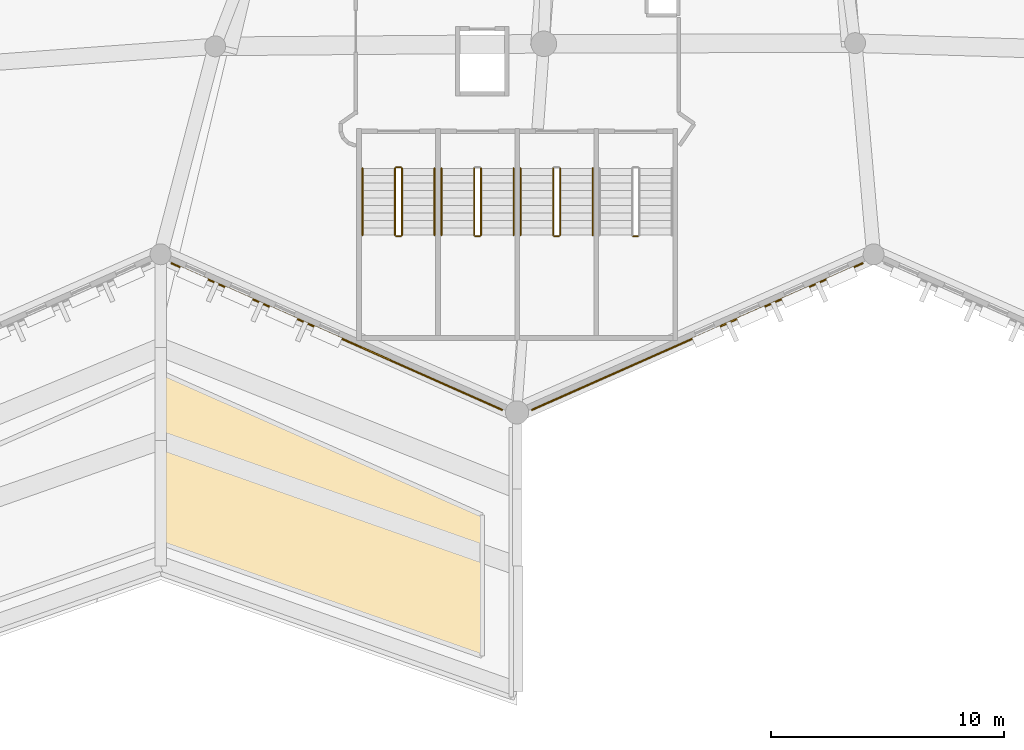
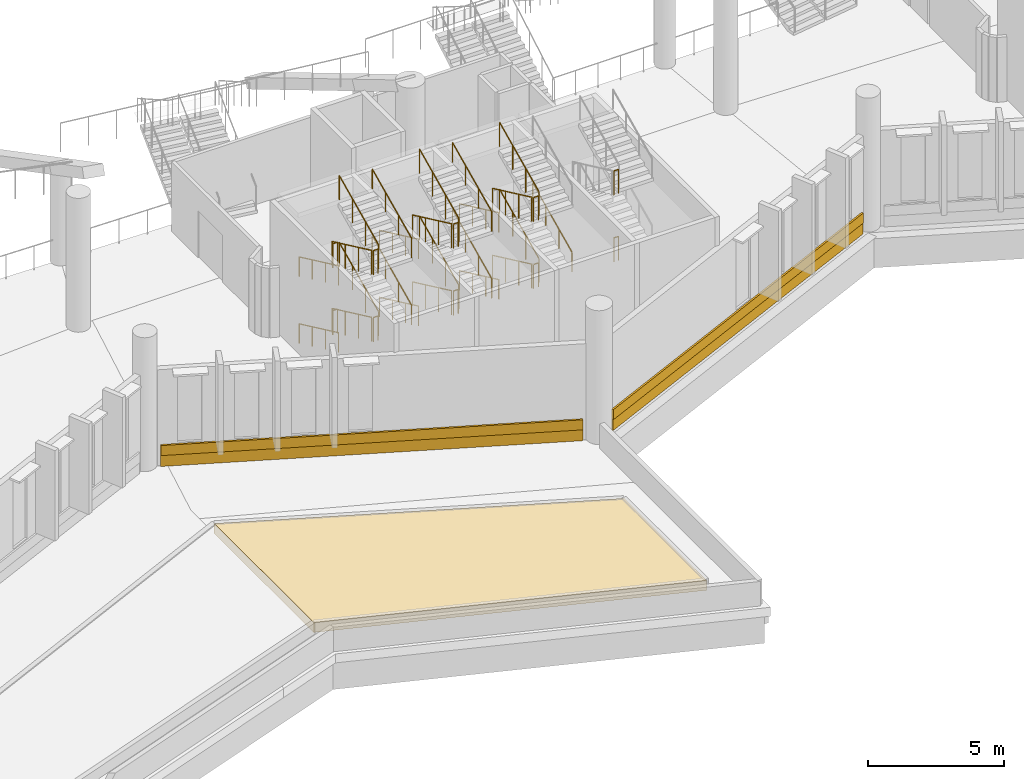
# One storey, part 118 of 173: 33 railings, 5 coverings.
"""IFC4 building model written with IfcOpenShell, lengths in metres."""

from ifc_helpers import new_model, si_unit, direction, frame, origin, origin_2d, place, context, subcontext, project, spatial, polyline, rectangle, circle, outline, extrude, material, layer, layer_set, type_object, element, save


model = new_model("IFC4")

# Units and contexts
model_context = context("Model", 3, precision=1e-05, world=origin(), true_north=direction((0.0, 1.0)))
body_context = subcontext(model_context, "Body", "Model", "MODEL_VIEW")
ifc_project = project(units=[si_unit("LENGTHUNIT", "METRE"), si_unit("AREAUNIT", "SQUARE_METRE"), si_unit("VOLUMEUNIT", "CUBIC_METRE"), si_unit("PLANEANGLEUNIT", "RADIAN"), si_unit("MASSUNIT", "GRAM", prefix="KILO")], contexts=[model_context])

# Site, building, storey
site_placement = place(None, origin())
site = spatial("IfcSite", under=ifc_project, at=site_placement, CompositionType="ELEMENT")
building_placement = place(site_placement, origin())
building = spatial("IfcBuilding", under=site, at=building_placement, Name="Meseta Stadium", CompositionType="ELEMENT")
storey_placement = place(building_placement, frame((0.0, 0.0, 18.0)))
storey = spatial("IfcBuildingStorey", under=building, at=storey_placement, Name="L03", CompositionType="ELEMENT", Elevation=18.0)

# Coverings
ifc_material_1 = material(Name="Guadarrama granite cladding", Category="masonry")
ifc_layer_1 = layer(ifc_material_1, 0.06005859375)
ifc_layer_set_1 = layer_set([ifc_layer_1], Name="Granite plinth cladding 60")
covering_type_1 = type_object("IfcCoveringType", Name="Granite plinth cladding 60", PredefinedType="CLADDING", material=ifc_layer_set_1)
for number, where, z_axis, x_axis, name in (
    (1, (-15.4189453125, -102.131591796875, 0.0), (0.0, 0.0, 1.0), (-0.914139367606, 0.405400069798, 0.0), "Granite plinth L03 F45"),
    (2, (0.085693359375, -102.131591796875, 0.0), (0.0, 0.0, 1.0), (-0.914139367606, -0.405400069798, 0.0), "Granite plinth L03 F46"),
):
    element("IfcCovering", number, at=place(storey_placement, frame(where, z_axis=z_axis, x_axis=x_axis)), inside=storey, type_object=covering_type_1, Name=name, PredefinedType="CLADDING", context=body_context, shape_type="SweptSolid", body=[
        extrude(rectangle(XDim=15.58447265625, YDim=0.06005859375, at=origin_2d()), origin(), (0.0, 0.0, 1.0), 0.5),
    ])
ifc_material_2 = material(Name="Planting soil")
ifc_layer_2 = layer(ifc_material_2, 0.449951171875)
ifc_layer_set_2 = layer_set([ifc_layer_2], Name="Planting soil 450")
covering_type_2 = type_object("IfcCoveringType", Name="Planting soil 450", PredefinedType="FLOORING", material=ifc_layer_set_2)
covering_placement = place(storey_placement, origin())
element("IfcCovering", 3, at=covering_placement, inside=storey, type_object=covering_type_2, Name="Roof garden planting bed 6.1 panel 04", PredefinedType="FLOORING", context=body_context, shape_type="SweptSolid", body=[
    extrude(outline(polyline([(-9.166748046875, -109.821533203125), (-23.0, -103.686767578125), (-23.0, -111.009765625), (-9.166748046875, -115.88134765625), (-9.166748046875, -109.821533203125)])), origin(), (0.0, 0.0, 1.0), 0.449951171875),
])

# Railings
ifc_material_3 = material(Name="Steel S355", Category="steel")
railing_type_1 = type_object("IfcRailingType", Name="Stair guard 1100", PredefinedType="GUARDRAIL", material=ifc_material_3)
railing_1_placement = place(storey_placement, frame((-12.916748046875, -94.89990234375, 0.14990234375)))
element("IfcRailing", 4, at=railing_1_placement, inside=storey, type_object=railing_type_1, Name="ST93 L03 guard 1", PredefinedType="GUARDRAIL", context=body_context, shape_type="SweptSolid", body=[
    extrude(circle(Radius=0.02392578125, at=origin_2d()), frame((0.0, 0.0, 1.076171875), z_axis=(0.0, -0.905454327043, 0.424443708447), x_axis=(1.0, 0.0, 0.0)), (0.0, 0.0, 1.0), 3.180908203125),
    extrude(circle(Radius=0.02099609375, at=origin_2d()), origin(), (0.0, 0.0, 1.0), 1.052001953125),
    extrude(circle(Radius=0.02099609375, at=origin_2d()), frame((0.0, -0.9599609375, 0.449951171875)), (0.0, 0.0, 1.0), 1.052001953125),
    extrude(circle(Radius=0.02099609375, at=origin_2d()), frame((0.0, -1.920166015625, 0.900146484375)), (0.0, 0.0, 1.0), 1.052001953125),
    extrude(circle(Radius=0.02099609375, at=origin_2d()), frame((0.0, -2.880126953125, 1.35009765625)), (0.0, 0.0, 1.0), 1.052001953125),
])
railing_2_placement = place(storey_placement, frame((-12.86669921875, -97.830078125, 1.5)))
element("IfcRailing", 5, at=railing_2_placement, inside=storey, type_object=railing_type_1, Name="ST93 L03 guard 2", PredefinedType="GUARDRAIL", context=body_context, shape_type="SweptSolid", body=[
    extrude(circle(Radius=0.02392578125, at=origin_2d()), frame((0.0, 0.0, 1.076171875), z_axis=(1.0, 0.0, 0.0), x_axis=(0.0, 1.0, 0.0)), (0.0, 0.0, 1.0), 0.199951171875),
    extrude(circle(Radius=0.02099609375, at=origin_2d()), origin(), (0.0, 0.0, 1.0), 1.052001953125),
    extrude(circle(Radius=0.02099609375, at=origin_2d()), frame((0.199951171875, 0.0, 0.0)), (0.0, 0.0, 1.0), 1.052001953125),
])
railing_3_placement = place(storey_placement, frame((-12.61669921875, -97.780029296875, 1.64990234375)))
element("IfcRailing", 6, at=railing_3_placement, inside=storey, type_object=railing_type_1, Name="ST93 L03 guard 3", PredefinedType="GUARDRAIL", context=body_context, shape_type="SweptSolid", body=[
    extrude(circle(Radius=0.02392578125, at=origin_2d()), frame((0.0, 0.0, 1.076171875), z_axis=(0.0, 0.905454327043, 0.424443708447), x_axis=(-1.0, 0.0, 0.0)), (0.0, 0.0, 1.0), 3.180908203125),
    extrude(circle(Radius=0.02099609375, at=origin_2d()), origin(), (0.0, 0.0, 1.0), 1.052001953125),
    extrude(circle(Radius=0.02099609375, at=origin_2d()), frame((0.0, 0.9599609375, 0.449951171875)), (0.0, 0.0, 1.0), 1.052001953125),
    extrude(circle(Radius=0.02099609375, at=origin_2d()), frame((0.0, 1.920166015625, 0.900146484375)), (0.0, 0.0, 1.0), 1.052001953125),
    extrude(circle(Radius=0.02099609375, at=origin_2d()), frame((0.0, 2.880126953125, 1.35009765625)), (0.0, 0.0, 1.0), 1.052001953125),
])
railing_4_placement = place(storey_placement, frame((-12.86669921875, -94.85009765625, 3.0)))
element("IfcRailing", 7, at=railing_4_placement, inside=storey, type_object=railing_type_1, Name="ST93 L03 guard 4", PredefinedType="GUARDRAIL", context=body_context, shape_type="SweptSolid", body=[
    extrude(circle(Radius=0.02392578125, at=origin_2d()), frame((0.0, 0.0, 1.076171875), z_axis=(1.0, 0.0, 0.0), x_axis=(0.0, 1.0, 0.0)), (0.0, 0.0, 1.0), 0.199951171875),
    extrude(circle(Radius=0.02099609375, at=origin_2d()), origin(), (0.0, 0.0, 1.0), 1.052001953125),
    extrude(circle(Radius=0.02099609375, at=origin_2d()), frame((0.199951171875, 0.0, 0.0)), (0.0, 0.0, 1.0), 1.052001953125),
])
railing_5_placement = place(storey_placement, frame((-12.916748046875, -94.89990234375, 3.14990234375)))
element("IfcRailing", 8, at=railing_5_placement, inside=storey, type_object=railing_type_1, Name="ST93 L03 guard 5", PredefinedType="GUARDRAIL", context=body_context, shape_type="SweptSolid", body=[
    extrude(circle(Radius=0.02392578125, at=origin_2d()), frame((0.0, 0.0, 1.076171875), z_axis=(0.0, -0.905454327043, 0.424443708447), x_axis=(1.0, 0.0, 0.0)), (0.0, 0.0, 1.0), 3.180908203125),
    extrude(circle(Radius=0.02099609375, at=origin_2d()), origin(), (0.0, 0.0, 1.0), 1.052001953125),
    extrude(circle(Radius=0.02099609375, at=origin_2d()), frame((0.0, -0.9599609375, 0.449951171875)), (0.0, 0.0, 1.0), 1.052001953125),
    extrude(circle(Radius=0.02099609375, at=origin_2d()), frame((0.0, -1.920166015625, 0.900146484375)), (0.0, 0.0, 1.0), 1.052001953125),
    extrude(circle(Radius=0.02099609375, at=origin_2d()), frame((0.0, -2.880126953125, 1.35009765625)), (0.0, 0.0, 1.0), 1.052001953125),
])
railing_6_placement = place(storey_placement, frame((-12.86669921875, -97.830078125, 4.5)))
element("IfcRailing", 9, at=railing_6_placement, inside=storey, type_object=railing_type_1, Name="ST93 L03 guard 6", PredefinedType="GUARDRAIL", context=body_context, shape_type="SweptSolid", body=[
    extrude(circle(Radius=0.02392578125, at=origin_2d()), frame((0.0, 0.0, 1.076171875), z_axis=(1.0, 0.0, 0.0), x_axis=(0.0, 1.0, 0.0)), (0.0, 0.0, 1.0), 0.199951171875),
    extrude(circle(Radius=0.02099609375, at=origin_2d()), origin(), (0.0, 0.0, 1.0), 1.052001953125),
    extrude(circle(Radius=0.02099609375, at=origin_2d()), frame((0.199951171875, 0.0, 0.0)), (0.0, 0.0, 1.0), 1.052001953125),
])
railing_7_placement = place(storey_placement, frame((-12.61669921875, -97.780029296875, 4.64990234375)))
element("IfcRailing", 10, at=railing_7_placement, inside=storey, type_object=railing_type_1, Name="ST93 L03 guard 7", PredefinedType="GUARDRAIL", context=body_context, shape_type="SweptSolid", body=[
    extrude(circle(Radius=0.02392578125, at=origin_2d()), frame((0.0, 0.0, 1.076171875), z_axis=(0.0, 0.905454327043, 0.424443708447), x_axis=(-1.0, 0.0, 0.0)), (0.0, 0.0, 1.0), 3.180908203125),
    extrude(circle(Radius=0.02099609375, at=origin_2d()), origin(), (0.0, 0.0, 1.0), 1.052001953125),
    extrude(circle(Radius=0.02099609375, at=origin_2d()), frame((0.0, 0.9599609375, 0.449951171875)), (0.0, 0.0, 1.0), 1.052001953125),
    extrude(circle(Radius=0.02099609375, at=origin_2d()), frame((0.0, 1.920166015625, 0.900146484375)), (0.0, 0.0, 1.0), 1.052001953125),
    extrude(circle(Radius=0.02099609375, at=origin_2d()), frame((0.0, 2.880126953125, 1.35009765625)), (0.0, 0.0, 1.0), 1.052001953125),
])
railing_8_placement = place(storey_placement, frame((-12.86669921875, -94.85009765625, 0.0)))
element("IfcRailing", 11, at=railing_8_placement, inside=storey, type_object=railing_type_1, Name="ST93 L03 guard 8", PredefinedType="GUARDRAIL", context=body_context, shape_type="SweptSolid", body=[
    extrude(circle(Radius=0.02392578125, at=origin_2d()), frame((0.0, 0.0, 1.076171875), z_axis=(1.0, 0.0, 0.0), x_axis=(0.0, 1.0, 0.0)), (0.0, 0.0, 1.0), 0.199951171875),
    extrude(circle(Radius=0.02099609375, at=origin_2d()), origin(), (0.0, 0.0, 1.0), 1.052001953125),
    extrude(circle(Radius=0.02099609375, at=origin_2d()), frame((0.199951171875, 0.0, 0.0)), (0.0, 0.0, 1.0), 1.052001953125),
])
railing_9_placement = place(storey_placement, frame((-9.5166015625, -94.89990234375, 0.14990234375)))
element("IfcRailing", 12, at=railing_9_placement, inside=storey, type_object=railing_type_1, Name="ST94 L03 guard 1", PredefinedType="GUARDRAIL", context=body_context, shape_type="SweptSolid", body=[
    extrude(circle(Radius=0.02392578125, at=origin_2d()), frame((0.0, 0.0, 1.076171875), z_axis=(0.0, -0.905454327043, 0.424443708447), x_axis=(1.0, 0.0, 0.0)), (0.0, 0.0, 1.0), 3.180908203125),
    extrude(circle(Radius=0.02099609375, at=origin_2d()), origin(), (0.0, 0.0, 1.0), 1.052001953125),
    extrude(circle(Radius=0.02099609375, at=origin_2d()), frame((0.0, -0.9599609375, 0.449951171875)), (0.0, 0.0, 1.0), 1.052001953125),
    extrude(circle(Radius=0.02099609375, at=origin_2d()), frame((0.0, -1.920166015625, 0.900146484375)), (0.0, 0.0, 1.0), 1.052001953125),
    extrude(circle(Radius=0.02099609375, at=origin_2d()), frame((0.0, -2.880126953125, 1.35009765625)), (0.0, 0.0, 1.0), 1.052001953125),
])
railing_10_placement = place(storey_placement, frame((-9.466552734375, -97.830078125, 1.5)))
element("IfcRailing", 13, at=railing_10_placement, inside=storey, type_object=railing_type_1, Name="ST94 L03 guard 2", PredefinedType="GUARDRAIL", context=body_context, shape_type="SweptSolid", body=[
    extrude(circle(Radius=0.02392578125, at=origin_2d()), frame((0.0, 0.0, 1.076171875), z_axis=(1.0, 0.0, 0.0), x_axis=(0.0, 1.0, 0.0)), (0.0, 0.0, 1.0), 0.199951171875),
    extrude(circle(Radius=0.02099609375, at=origin_2d()), origin(), (0.0, 0.0, 1.0), 1.052001953125),
    extrude(circle(Radius=0.02099609375, at=origin_2d()), frame((0.199951171875, 0.0, 0.0)), (0.0, 0.0, 1.0), 1.052001953125),
])
railing_11_placement = place(storey_placement, frame((-9.216552734375, -97.780029296875, 1.64990234375)))
element("IfcRailing", 14, at=railing_11_placement, inside=storey, type_object=railing_type_1, Name="ST94 L03 guard 3", PredefinedType="GUARDRAIL", context=body_context, shape_type="SweptSolid", body=[
    extrude(circle(Radius=0.02392578125, at=origin_2d()), frame((0.0, 0.0, 1.076171875), z_axis=(0.0, 0.905454327043, 0.424443708447), x_axis=(-1.0, 0.0, 0.0)), (0.0, 0.0, 1.0), 3.180908203125),
    extrude(circle(Radius=0.02099609375, at=origin_2d()), origin(), (0.0, 0.0, 1.0), 1.052001953125),
    extrude(circle(Radius=0.02099609375, at=origin_2d()), frame((0.0, 0.9599609375, 0.449951171875)), (0.0, 0.0, 1.0), 1.052001953125),
    extrude(circle(Radius=0.02099609375, at=origin_2d()), frame((0.0, 1.920166015625, 0.900146484375)), (0.0, 0.0, 1.0), 1.052001953125),
    extrude(circle(Radius=0.02099609375, at=origin_2d()), frame((0.0, 2.880126953125, 1.35009765625)), (0.0, 0.0, 1.0), 1.052001953125),
])
railing_12_placement = place(storey_placement, frame((-9.5166015625, -94.89990234375, 3.14990234375)))
element("IfcRailing", 15, at=railing_12_placement, inside=storey, type_object=railing_type_1, Name="ST94 L03 guard 5", PredefinedType="GUARDRAIL", context=body_context, shape_type="SweptSolid", body=[
    extrude(circle(Radius=0.02392578125, at=origin_2d()), frame((0.0, 0.0, 1.076171875), z_axis=(0.0, -0.905454327043, 0.424443708447), x_axis=(1.0, 0.0, 0.0)), (0.0, 0.0, 1.0), 3.180908203125),
    extrude(circle(Radius=0.02099609375, at=origin_2d()), origin(), (0.0, 0.0, 1.0), 1.052001953125),
    extrude(circle(Radius=0.02099609375, at=origin_2d()), frame((0.0, -0.9599609375, 0.449951171875)), (0.0, 0.0, 1.0), 1.052001953125),
    extrude(circle(Radius=0.02099609375, at=origin_2d()), frame((0.0, -1.920166015625, 0.900146484375)), (0.0, 0.0, 1.0), 1.052001953125),
    extrude(circle(Radius=0.02099609375, at=origin_2d()), frame((0.0, -2.880126953125, 1.35009765625)), (0.0, 0.0, 1.0), 1.052001953125),
])
railing_13_placement = place(storey_placement, frame((-9.466552734375, -97.830078125, 4.5)))
element("IfcRailing", 16, at=railing_13_placement, inside=storey, type_object=railing_type_1, Name="ST94 L03 guard 6", PredefinedType="GUARDRAIL", context=body_context, shape_type="SweptSolid", body=[
    extrude(circle(Radius=0.02392578125, at=origin_2d()), frame((0.0, 0.0, 1.076171875), z_axis=(1.0, 0.0, 0.0), x_axis=(0.0, 1.0, 0.0)), (0.0, 0.0, 1.0), 0.199951171875),
    extrude(circle(Radius=0.02099609375, at=origin_2d()), origin(), (0.0, 0.0, 1.0), 1.052001953125),
    extrude(circle(Radius=0.02099609375, at=origin_2d()), frame((0.199951171875, 0.0, 0.0)), (0.0, 0.0, 1.0), 1.052001953125),
])
railing_14_placement = place(storey_placement, frame((-9.216552734375, -97.780029296875, 4.64990234375)))
element("IfcRailing", 17, at=railing_14_placement, inside=storey, type_object=railing_type_1, Name="ST94 L03 guard 7", PredefinedType="GUARDRAIL", context=body_context, shape_type="SweptSolid", body=[
    extrude(circle(Radius=0.02392578125, at=origin_2d()), frame((0.0, 0.0, 1.076171875), z_axis=(0.0, 0.905454327043, 0.424443708447), x_axis=(-1.0, 0.0, 0.0)), (0.0, 0.0, 1.0), 3.180908203125),
    extrude(circle(Radius=0.02099609375, at=origin_2d()), origin(), (0.0, 0.0, 1.0), 1.052001953125),
    extrude(circle(Radius=0.02099609375, at=origin_2d()), frame((0.0, 0.9599609375, 0.449951171875)), (0.0, 0.0, 1.0), 1.052001953125),
    extrude(circle(Radius=0.02099609375, at=origin_2d()), frame((0.0, 1.920166015625, 0.900146484375)), (0.0, 0.0, 1.0), 1.052001953125),
    extrude(circle(Radius=0.02099609375, at=origin_2d()), frame((0.0, 2.880126953125, 1.35009765625)), (0.0, 0.0, 1.0), 1.052001953125),
])
railing_15_placement = place(storey_placement, frame((-6.11669921875, -94.89990234375, 0.14990234375)))
element("IfcRailing", 18, at=railing_15_placement, inside=storey, type_object=railing_type_1, Name="ST95 L03 guard 1", PredefinedType="GUARDRAIL", context=body_context, shape_type="SweptSolid", body=[
    extrude(circle(Radius=0.02392578125, at=origin_2d()), frame((0.0, 0.0, 1.076171875), z_axis=(0.0, -0.905454327043, 0.424443708447), x_axis=(1.0, 0.0, 0.0)), (0.0, 0.0, 1.0), 3.180908203125),
    extrude(circle(Radius=0.02099609375, at=origin_2d()), origin(), (0.0, 0.0, 1.0), 1.052001953125),
    extrude(circle(Radius=0.02099609375, at=origin_2d()), frame((0.0, -0.9599609375, 0.449951171875)), (0.0, 0.0, 1.0), 1.052001953125),
    extrude(circle(Radius=0.02099609375, at=origin_2d()), frame((0.0, -1.920166015625, 0.900146484375)), (0.0, 0.0, 1.0), 1.052001953125),
    extrude(circle(Radius=0.02099609375, at=origin_2d()), frame((0.0, -2.880126953125, 1.35009765625)), (0.0, 0.0, 1.0), 1.052001953125),
])
railing_16_placement = place(storey_placement, frame((-6.066650390625, -97.830078125, 1.5)))
element("IfcRailing", 19, at=railing_16_placement, inside=storey, type_object=railing_type_1, Name="ST95 L03 guard 2", PredefinedType="GUARDRAIL", context=body_context, shape_type="SweptSolid", body=[
    extrude(circle(Radius=0.02392578125, at=origin_2d()), frame((0.0, 0.0, 1.076171875), z_axis=(1.0, 0.0, 0.0), x_axis=(0.0, 1.0, 0.0)), (0.0, 0.0, 1.0), 0.199951171875),
    extrude(circle(Radius=0.02099609375, at=origin_2d()), origin(), (0.0, 0.0, 1.0), 1.052001953125),
    extrude(circle(Radius=0.02099609375, at=origin_2d()), frame((0.199951171875, 0.0, 0.0)), (0.0, 0.0, 1.0), 1.052001953125),
])
railing_17_placement = place(storey_placement, frame((-5.816650390625, -97.780029296875, 1.64990234375)))
element("IfcRailing", 20, at=railing_17_placement, inside=storey, type_object=railing_type_1, Name="ST95 L03 guard 3", PredefinedType="GUARDRAIL", context=body_context, shape_type="SweptSolid", body=[
    extrude(circle(Radius=0.02392578125, at=origin_2d()), frame((0.0, 0.0, 1.076171875), z_axis=(0.0, 0.905454327043, 0.424443708447), x_axis=(-1.0, 0.0, 0.0)), (0.0, 0.0, 1.0), 3.180908203125),
    extrude(circle(Radius=0.02099609375, at=origin_2d()), origin(), (0.0, 0.0, 1.0), 1.052001953125),
    extrude(circle(Radius=0.02099609375, at=origin_2d()), frame((0.0, 0.9599609375, 0.449951171875)), (0.0, 0.0, 1.0), 1.052001953125),
    extrude(circle(Radius=0.02099609375, at=origin_2d()), frame((0.0, 1.920166015625, 0.900146484375)), (0.0, 0.0, 1.0), 1.052001953125),
    extrude(circle(Radius=0.02099609375, at=origin_2d()), frame((0.0, 2.880126953125, 1.35009765625)), (0.0, 0.0, 1.0), 1.052001953125),
])
railing_18_placement = place(storey_placement, frame((-6.11669921875, -94.89990234375, 3.14990234375)))
element("IfcRailing", 21, at=railing_18_placement, inside=storey, type_object=railing_type_1, Name="ST95 L03 guard 5", PredefinedType="GUARDRAIL", context=body_context, shape_type="SweptSolid", body=[
    extrude(circle(Radius=0.02392578125, at=origin_2d()), frame((0.0, 0.0, 1.076171875), z_axis=(0.0, -0.905454327043, 0.424443708447), x_axis=(1.0, 0.0, 0.0)), (0.0, 0.0, 1.0), 3.180908203125),
    extrude(circle(Radius=0.02099609375, at=origin_2d()), origin(), (0.0, 0.0, 1.0), 1.052001953125),
    extrude(circle(Radius=0.02099609375, at=origin_2d()), frame((0.0, -0.9599609375, 0.449951171875)), (0.0, 0.0, 1.0), 1.052001953125),
    extrude(circle(Radius=0.02099609375, at=origin_2d()), frame((0.0, -1.920166015625, 0.900146484375)), (0.0, 0.0, 1.0), 1.052001953125),
    extrude(circle(Radius=0.02099609375, at=origin_2d()), frame((0.0, -2.880126953125, 1.35009765625)), (0.0, 0.0, 1.0), 1.052001953125),
])
railing_19_placement = place(storey_placement, frame((-6.066650390625, -97.830078125, 4.5)))
element("IfcRailing", 22, at=railing_19_placement, inside=storey, type_object=railing_type_1, Name="ST95 L03 guard 6", PredefinedType="GUARDRAIL", context=body_context, shape_type="SweptSolid", body=[
    extrude(circle(Radius=0.02392578125, at=origin_2d()), frame((0.0, 0.0, 1.076171875), z_axis=(1.0, 0.0, 0.0), x_axis=(0.0, 1.0, 0.0)), (0.0, 0.0, 1.0), 0.199951171875),
    extrude(circle(Radius=0.02099609375, at=origin_2d()), origin(), (0.0, 0.0, 1.0), 1.052001953125),
    extrude(circle(Radius=0.02099609375, at=origin_2d()), frame((0.199951171875, 0.0, 0.0)), (0.0, 0.0, 1.0), 1.052001953125),
])
railing_20_placement = place(storey_placement, frame((-5.816650390625, -97.780029296875, 4.64990234375)))
element("IfcRailing", 23, at=railing_20_placement, inside=storey, type_object=railing_type_1, Name="ST95 L03 guard 7", PredefinedType="GUARDRAIL", context=body_context, shape_type="SweptSolid", body=[
    extrude(circle(Radius=0.02392578125, at=origin_2d()), frame((0.0, 0.0, 1.076171875), z_axis=(0.0, 0.905454327043, 0.424443708447), x_axis=(-1.0, 0.0, 0.0)), (0.0, 0.0, 1.0), 3.180908203125),
    extrude(circle(Radius=0.02099609375, at=origin_2d()), origin(), (0.0, 0.0, 1.0), 1.052001953125),
    extrude(circle(Radius=0.02099609375, at=origin_2d()), frame((0.0, 0.9599609375, 0.449951171875)), (0.0, 0.0, 1.0), 1.052001953125),
    extrude(circle(Radius=0.02099609375, at=origin_2d()), frame((0.0, 1.920166015625, 0.900146484375)), (0.0, 0.0, 1.0), 1.052001953125),
    extrude(circle(Radius=0.02099609375, at=origin_2d()), frame((0.0, 2.880126953125, 1.35009765625)), (0.0, 0.0, 1.0), 1.052001953125),
])
for number, where, name in (
    (24, (-2.666748046875, -97.830078125, 1.5), "ST96 L03 guard 2"),
    (25, (-2.666748046875, -97.830078125, 4.5), "ST96 L03 guard 6"),
):
    element("IfcRailing", number, at=place(storey_placement, frame(where)), inside=storey, type_object=railing_type_1, Name=name, PredefinedType="GUARDRAIL", context=body_context, shape_type="SweptSolid", body=[
        extrude(circle(Radius=0.02392578125, at=origin_2d()), frame((0.0, 0.0, 1.076171875), z_axis=(1.0, 0.0, 0.0), x_axis=(0.0, 1.0, 0.0)), (0.0, 0.0, 1.0), 0.2001953125),
        extrude(circle(Radius=0.02099609375, at=origin_2d()), origin(), (0.0, 0.0, 1.0), 1.052001953125),
        extrude(circle(Radius=0.02099609375, at=origin_2d()), frame((0.2001953125, 0.0, 0.0)), (0.0, 0.0, 1.0), 1.052001953125),
    ])
ifc_material_4 = material(Name="Steel S355", Category="steel")
railing_type_2 = type_object("IfcRailingType", Name="Stair handrail 900", PredefinedType="HANDRAIL", material=ifc_material_4)
railing_21_placement = place(storey_placement, frame((-14.316650390625, -94.89990234375, 0.14990234375)))
element("IfcRailing", 26, at=railing_21_placement, inside=storey, type_object=railing_type_2, Name="ST93 L03 handrail 1", PredefinedType="HANDRAIL", context=body_context, shape_type="SweptSolid", body=[
    extrude(circle(Radius=0.02392578125, at=origin_2d()), frame((0.0, 0.0, 0.8759765625), z_axis=(0.0, -0.905454327043, 0.424443708447), x_axis=(1.0, 0.0, 0.0)), (0.0, 0.0, 1.0), 3.180908203125),
    extrude(circle(Radius=0.02099609375, at=origin_2d()), origin(), (0.0, 0.0, 1.0), 0.851806640625),
    extrude(circle(Radius=0.02099609375, at=origin_2d()), frame((0.0, -0.9599609375, 0.449951171875)), (0.0, 0.0, 1.0), 0.851806640625),
    extrude(circle(Radius=0.02099609375, at=origin_2d()), frame((0.0, -1.920166015625, 0.900146484375)), (0.0, 0.0, 1.0), 0.851806640625),
    extrude(circle(Radius=0.02099609375, at=origin_2d()), frame((0.0, -2.880126953125, 1.35009765625)), (0.0, 0.0, 1.0), 0.851806640625),
])
railing_22_placement = place(storey_placement, frame((-11.216552734375, -97.780029296875, 1.64990234375)))
element("IfcRailing", 27, at=railing_22_placement, inside=storey, type_object=railing_type_2, Name="ST93 L03 handrail 2", PredefinedType="HANDRAIL", context=body_context, shape_type="SweptSolid", body=[
    extrude(circle(Radius=0.02392578125, at=origin_2d()), frame((0.0, 0.0, 0.8759765625), z_axis=(0.0, 0.905454327043, 0.424443708447), x_axis=(-1.0, 0.0, 0.0)), (0.0, 0.0, 1.0), 3.180908203125),
    extrude(circle(Radius=0.02099609375, at=origin_2d()), origin(), (0.0, 0.0, 1.0), 0.851806640625),
    extrude(circle(Radius=0.02099609375, at=origin_2d()), frame((0.0, 0.9599609375, 0.449951171875)), (0.0, 0.0, 1.0), 0.851806640625),
    extrude(circle(Radius=0.02099609375, at=origin_2d()), frame((0.0, 1.920166015625, 0.900146484375)), (0.0, 0.0, 1.0), 0.851806640625),
    extrude(circle(Radius=0.02099609375, at=origin_2d()), frame((0.0, 2.880126953125, 1.35009765625)), (0.0, 0.0, 1.0), 0.851806640625),
])
railing_23_placement = place(storey_placement, frame((-14.316650390625, -94.89990234375, 3.14990234375)))
element("IfcRailing", 28, at=railing_23_placement, inside=storey, type_object=railing_type_2, Name="ST93 L03 handrail 3", PredefinedType="HANDRAIL", context=body_context, shape_type="SweptSolid", body=[
    extrude(circle(Radius=0.02392578125, at=origin_2d()), frame((0.0, 0.0, 0.8759765625), z_axis=(0.0, -0.905454327043, 0.424443708447), x_axis=(1.0, 0.0, 0.0)), (0.0, 0.0, 1.0), 3.180908203125),
    extrude(circle(Radius=0.02099609375, at=origin_2d()), origin(), (0.0, 0.0, 1.0), 0.851806640625),
    extrude(circle(Radius=0.02099609375, at=origin_2d()), frame((0.0, -0.9599609375, 0.449951171875)), (0.0, 0.0, 1.0), 0.851806640625),
    extrude(circle(Radius=0.02099609375, at=origin_2d()), frame((0.0, -1.920166015625, 0.900146484375)), (0.0, 0.0, 1.0), 0.851806640625),
    extrude(circle(Radius=0.02099609375, at=origin_2d()), frame((0.0, -2.880126953125, 1.35009765625)), (0.0, 0.0, 1.0), 0.851806640625),
])
railing_24_placement = place(storey_placement, frame((-11.216552734375, -97.780029296875, 4.64990234375)))
element("IfcRailing", 29, at=railing_24_placement, inside=storey, type_object=railing_type_2, Name="ST93 L03 handrail 4", PredefinedType="HANDRAIL", context=body_context, shape_type="SweptSolid", body=[
    extrude(circle(Radius=0.02392578125, at=origin_2d()), frame((0.0, 0.0, 0.8759765625), z_axis=(0.0, 0.905454327043, 0.424443708447), x_axis=(-1.0, 0.0, 0.0)), (0.0, 0.0, 1.0), 3.180908203125),
    extrude(circle(Radius=0.02099609375, at=origin_2d()), origin(), (0.0, 0.0, 1.0), 0.851806640625),
    extrude(circle(Radius=0.02099609375, at=origin_2d()), frame((0.0, 0.9599609375, 0.449951171875)), (0.0, 0.0, 1.0), 0.851806640625),
    extrude(circle(Radius=0.02099609375, at=origin_2d()), frame((0.0, 1.920166015625, 0.900146484375)), (0.0, 0.0, 1.0), 0.851806640625),
    extrude(circle(Radius=0.02099609375, at=origin_2d()), frame((0.0, 2.880126953125, 1.35009765625)), (0.0, 0.0, 1.0), 0.851806640625),
])
railing_25_placement = place(storey_placement, frame((-10.916748046875, -94.89990234375, 0.14990234375)))
element("IfcRailing", 30, at=railing_25_placement, inside=storey, type_object=railing_type_2, Name="ST94 L03 handrail 1", PredefinedType="HANDRAIL", context=body_context, shape_type="SweptSolid", body=[
    extrude(circle(Radius=0.02392578125, at=origin_2d()), frame((0.0, 0.0, 0.8759765625), z_axis=(0.0, -0.905454327043, 0.424443708447), x_axis=(1.0, 0.0, 0.0)), (0.0, 0.0, 1.0), 3.180908203125),
    extrude(circle(Radius=0.02099609375, at=origin_2d()), origin(), (0.0, 0.0, 1.0), 0.851806640625),
    extrude(circle(Radius=0.02099609375, at=origin_2d()), frame((0.0, -0.9599609375, 0.449951171875)), (0.0, 0.0, 1.0), 0.851806640625),
    extrude(circle(Radius=0.02099609375, at=origin_2d()), frame((0.0, -1.920166015625, 0.900146484375)), (0.0, 0.0, 1.0), 0.851806640625),
    extrude(circle(Radius=0.02099609375, at=origin_2d()), frame((0.0, -2.880126953125, 1.35009765625)), (0.0, 0.0, 1.0), 0.851806640625),
])
railing_26_placement = place(storey_placement, frame((-7.816650390625, -97.780029296875, 1.64990234375)))
element("IfcRailing", 31, at=railing_26_placement, inside=storey, type_object=railing_type_2, Name="ST94 L03 handrail 2", PredefinedType="HANDRAIL", context=body_context, shape_type="SweptSolid", body=[
    extrude(circle(Radius=0.02392578125, at=origin_2d()), frame((0.0, 0.0, 0.8759765625), z_axis=(0.0, 0.905454327043, 0.424443708447), x_axis=(-1.0, 0.0, 0.0)), (0.0, 0.0, 1.0), 3.180908203125),
    extrude(circle(Radius=0.02099609375, at=origin_2d()), origin(), (0.0, 0.0, 1.0), 0.851806640625),
    extrude(circle(Radius=0.02099609375, at=origin_2d()), frame((0.0, 0.9599609375, 0.449951171875)), (0.0, 0.0, 1.0), 0.851806640625),
    extrude(circle(Radius=0.02099609375, at=origin_2d()), frame((0.0, 1.920166015625, 0.900146484375)), (0.0, 0.0, 1.0), 0.851806640625),
    extrude(circle(Radius=0.02099609375, at=origin_2d()), frame((0.0, 2.880126953125, 1.35009765625)), (0.0, 0.0, 1.0), 0.851806640625),
])
railing_27_placement = place(storey_placement, frame((-10.916748046875, -94.89990234375, 3.14990234375)))
element("IfcRailing", 32, at=railing_27_placement, inside=storey, type_object=railing_type_2, Name="ST94 L03 handrail 3", PredefinedType="HANDRAIL", context=body_context, shape_type="SweptSolid", body=[
    extrude(circle(Radius=0.02392578125, at=origin_2d()), frame((0.0, 0.0, 0.8759765625), z_axis=(0.0, -0.905454327043, 0.424443708447), x_axis=(1.0, 0.0, 0.0)), (0.0, 0.0, 1.0), 3.180908203125),
    extrude(circle(Radius=0.02099609375, at=origin_2d()), origin(), (0.0, 0.0, 1.0), 0.851806640625),
    extrude(circle(Radius=0.02099609375, at=origin_2d()), frame((0.0, -0.9599609375, 0.449951171875)), (0.0, 0.0, 1.0), 0.851806640625),
    extrude(circle(Radius=0.02099609375, at=origin_2d()), frame((0.0, -1.920166015625, 0.900146484375)), (0.0, 0.0, 1.0), 0.851806640625),
    extrude(circle(Radius=0.02099609375, at=origin_2d()), frame((0.0, -2.880126953125, 1.35009765625)), (0.0, 0.0, 1.0), 0.851806640625),
])
railing_28_placement = place(storey_placement, frame((-7.816650390625, -97.780029296875, 4.64990234375)))
element("IfcRailing", 33, at=railing_28_placement, inside=storey, type_object=railing_type_2, Name="ST94 L03 handrail 4", PredefinedType="HANDRAIL", context=body_context, shape_type="SweptSolid", body=[
    extrude(circle(Radius=0.02392578125, at=origin_2d()), frame((0.0, 0.0, 0.8759765625), z_axis=(0.0, 0.905454327043, 0.424443708447), x_axis=(-1.0, 0.0, 0.0)), (0.0, 0.0, 1.0), 3.180908203125),
    extrude(circle(Radius=0.02099609375, at=origin_2d()), origin(), (0.0, 0.0, 1.0), 0.851806640625),
    extrude(circle(Radius=0.02099609375, at=origin_2d()), frame((0.0, 0.9599609375, 0.449951171875)), (0.0, 0.0, 1.0), 0.851806640625),
    extrude(circle(Radius=0.02099609375, at=origin_2d()), frame((0.0, 1.920166015625, 0.900146484375)), (0.0, 0.0, 1.0), 0.851806640625),
    extrude(circle(Radius=0.02099609375, at=origin_2d()), frame((0.0, 2.880126953125, 1.35009765625)), (0.0, 0.0, 1.0), 0.851806640625),
])
railing_29_placement = place(storey_placement, frame((-7.5166015625, -94.89990234375, 0.14990234375)))
element("IfcRailing", 34, at=railing_29_placement, inside=storey, type_object=railing_type_2, Name="ST95 L03 handrail 1", PredefinedType="HANDRAIL", context=body_context, shape_type="SweptSolid", body=[
    extrude(circle(Radius=0.02392578125, at=origin_2d()), frame((0.0, 0.0, 0.8759765625), z_axis=(0.0, -0.905454327043, 0.424443708447), x_axis=(1.0, 0.0, 0.0)), (0.0, 0.0, 1.0), 3.180908203125),
    extrude(circle(Radius=0.02099609375, at=origin_2d()), origin(), (0.0, 0.0, 1.0), 0.851806640625),
    extrude(circle(Radius=0.02099609375, at=origin_2d()), frame((0.0, -0.9599609375, 0.449951171875)), (0.0, 0.0, 1.0), 0.851806640625),
    extrude(circle(Radius=0.02099609375, at=origin_2d()), frame((0.0, -1.920166015625, 0.900146484375)), (0.0, 0.0, 1.0), 0.851806640625),
    extrude(circle(Radius=0.02099609375, at=origin_2d()), frame((0.0, -2.880126953125, 1.35009765625)), (0.0, 0.0, 1.0), 0.851806640625),
])
railing_30_placement = place(storey_placement, frame((-4.416748046875, -97.780029296875, 1.64990234375)))
element("IfcRailing", 35, at=railing_30_placement, inside=storey, type_object=railing_type_2, Name="ST95 L03 handrail 2", PredefinedType="HANDRAIL", context=body_context, shape_type="SweptSolid", body=[
    extrude(circle(Radius=0.02392578125, at=origin_2d()), frame((0.0, 0.0, 0.8759765625), z_axis=(0.0, 0.905454327043, 0.424443708447), x_axis=(-1.0, 0.0, 0.0)), (0.0, 0.0, 1.0), 3.180908203125),
    extrude(circle(Radius=0.02099609375, at=origin_2d()), origin(), (0.0, 0.0, 1.0), 0.851806640625),
    extrude(circle(Radius=0.02099609375, at=origin_2d()), frame((0.0, 0.9599609375, 0.449951171875)), (0.0, 0.0, 1.0), 0.851806640625),
    extrude(circle(Radius=0.02099609375, at=origin_2d()), frame((0.0, 1.920166015625, 0.900146484375)), (0.0, 0.0, 1.0), 0.851806640625),
    extrude(circle(Radius=0.02099609375, at=origin_2d()), frame((0.0, 2.880126953125, 1.35009765625)), (0.0, 0.0, 1.0), 0.851806640625),
])
railing_31_placement = place(storey_placement, frame((-7.5166015625, -94.89990234375, 3.14990234375)))
element("IfcRailing", 36, at=railing_31_placement, inside=storey, type_object=railing_type_2, Name="ST95 L03 handrail 3", PredefinedType="HANDRAIL", context=body_context, shape_type="SweptSolid", body=[
    extrude(circle(Radius=0.02392578125, at=origin_2d()), frame((0.0, 0.0, 0.8759765625), z_axis=(0.0, -0.905454327043, 0.424443708447), x_axis=(1.0, 0.0, 0.0)), (0.0, 0.0, 1.0), 3.180908203125),
    extrude(circle(Radius=0.02099609375, at=origin_2d()), origin(), (0.0, 0.0, 1.0), 0.851806640625),
    extrude(circle(Radius=0.02099609375, at=origin_2d()), frame((0.0, -0.9599609375, 0.449951171875)), (0.0, 0.0, 1.0), 0.851806640625),
    extrude(circle(Radius=0.02099609375, at=origin_2d()), frame((0.0, -1.920166015625, 0.900146484375)), (0.0, 0.0, 1.0), 0.851806640625),
    extrude(circle(Radius=0.02099609375, at=origin_2d()), frame((0.0, -2.880126953125, 1.35009765625)), (0.0, 0.0, 1.0), 0.851806640625),
])

# Coverings
ifc_material_5 = material(Name="Precast concrete C40/50, terracotta pigment", Category="masonry")
ifc_layer_3 = layer(ifc_material_5, 0.080078125)
ifc_layer_set_3 = layer_set([ifc_layer_3], Name="Precast concrete C40/50, terracotta pigment")
covering_type_3 = type_object("IfcCoveringType", Name="Terracotta precast band 80", PredefinedType="CLADDING", material=ifc_layer_set_3)
for number, where, z_axis, x_axis, name in (
    (37, (-15.423095703125, -102.140625, 0.5), (0.0, 0.0, 1.0), (-0.914139367606, 0.405400069798, 0.0), "Terracotta band L03 F45"),
    (38, (0.089599609375, -102.140625, 0.5), (0.0, 0.0, 1.0), (-0.914139367606, -0.405400069798, 0.0), "Terracotta band L03 F46"),
):
    element("IfcCovering", number, at=place(storey_placement, frame(where, z_axis=z_axis, x_axis=x_axis)), inside=storey, type_object=covering_type_3, Name=name, PredefinedType="CLADDING", context=body_context, shape_type="SweptSolid", body=[
        extrude(rectangle(XDim=15.58447265625, YDim=0.080078125, at=origin_2d()), origin(), (0.0, 0.0, 1.0), 0.449951171875),
    ])

save(model, "model.ifc")
